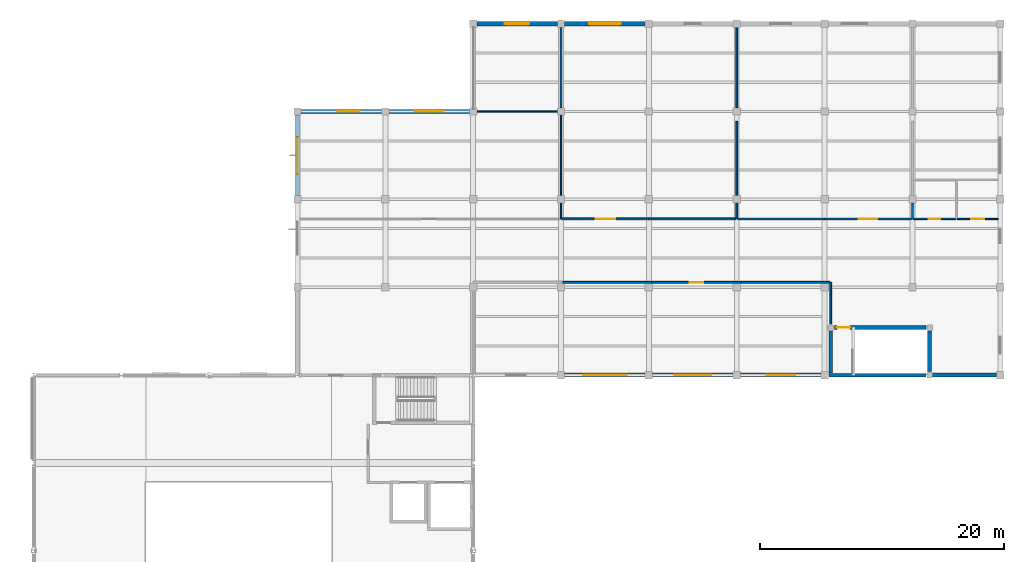
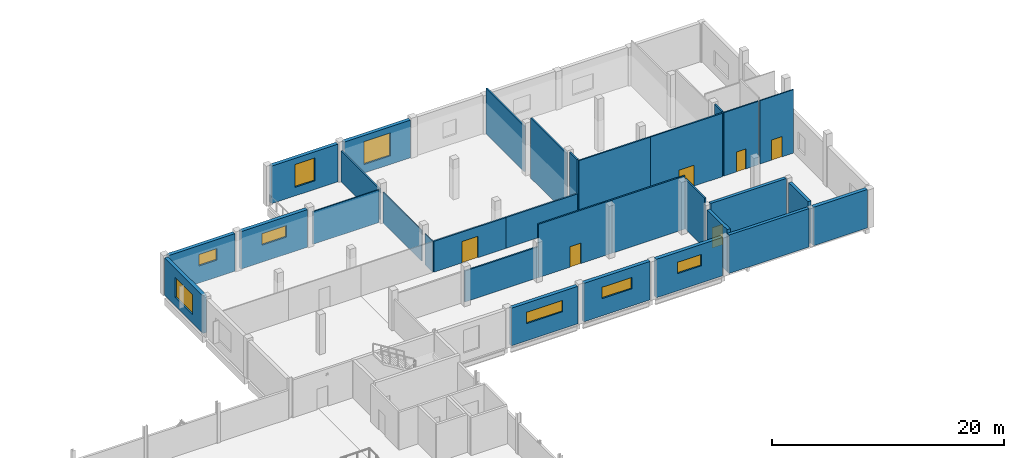
# One storey, part 42 of 48: 31 walls, 8 windows, 6 doors, 14 openings.
"""IFC4 building model written with IfcOpenShell, lengths in metres."""

import ifcopenshell
import ifcopenshell.guid

model = None  # the IFC model being written
_history = None  # IfcOwnerHistory: only IFC2X3 demands one
_inside = {}  # id of a spatial element -> (the spatial element, [elements in it])
_under = {}  # id of a project, library or spatial element -> (it, [spatial elements below it])
_declared = {}  # id of a project -> (the project, [libraries it declares])
_typed = {}  # id of a type object -> (the type object, [elements of that type])
_made_of = {}  # id of a material, layer set ... -> (it, [elements and type objects made of it])


def new_model(schema):
    """Start an empty IFC model of exactly this schema.

    Asked for "IFC4X3", IfcOpenShell would pick the latest addendum, in which some entities
    have other attributes; the version numbers below select the first issue.
    IFC2X3 requires an IfcOwnerHistory on every rooted entity: one is made here for all.
    """
    global model, _history
    if schema == "IFC4X3":
        model = ifcopenshell.file(schema_version=(4, 3, 0, 0))
    else:
        model = ifcopenshell.file(schema=schema)
    _inside.clear()
    _under.clear()
    _declared.clear()
    _typed.clear()
    _made_of.clear()
    _history = None
    if model.schema == "IFC2X3":
        org = make("IfcOrganization", Name="unknown")
        user = make(
            "IfcPersonAndOrganization",
            ThePerson=make("IfcPerson", FamilyName="unknown"),
            TheOrganization=org,
        )
        app = make(
            "IfcApplication",
            ApplicationDeveloper=org,
            Version="unknown",
            ApplicationFullName="unknown",
            ApplicationIdentifier="unknown",
        )
        _history = make(
            "IfcOwnerHistory",
            OwningUser=user,
            OwningApplication=app,
            ChangeAction="ADDED",
            CreationDate=0,
        )
    return model


def make(cls, **values):
    """One entity of the class cls with the attributes given. An attribute that is None is left unset."""
    return model.create_entity(
        cls, **{name: value for name, value in values.items() if value is not None}
    )


def rooted(cls, **values):
    """An entity with a GlobalId (a new one), such as an element, a storey or a relation."""
    return make(cls, GlobalId=ifcopenshell.guid.new(), OwnerHistory=_history, **values)


def si_unit(unit_type, name, prefix=None):
    """IfcSIUnit, for example si_unit("LENGTHUNIT", "METRE", prefix="MILLI")."""
    return make("IfcSIUnit", UnitType=unit_type, Prefix=prefix, Name=name)


def assignment(units):
    """IfcUnitAssignment: the units of a project."""
    return None if units is None else make("IfcUnitAssignment", Units=units)


def point(xyz):
    """IfcCartesianPoint."""
    return None if xyz is None else make("IfcCartesianPoint", Coordinates=xyz)


def direction(xyz):
    """IfcDirection."""
    return None if xyz is None else make("IfcDirection", DirectionRatios=xyz)


def frame(location, z_axis=None, x_axis=None):
    """IfcAxis2Placement3D, a coordinate frame: its origin and axes. An axis left out is left unset."""
    return make(
        "IfcAxis2Placement3D",
        Location=point(location),
        Axis=direction(z_axis),
        RefDirection=direction(x_axis),
    )


def frame_2d(location, x_axis=None):
    """IfcAxis2Placement2D, a coordinate frame in the plane: its origin and x axis."""
    return make(
        "IfcAxis2Placement2D", Location=point(location), RefDirection=direction(x_axis)
    )


def origin():
    """The frame at (0, 0, 0) with its axes left unset."""
    return frame((0.0, 0.0, 0.0))


def place(relative_to, where):
    """IfcLocalPlacement: puts the frame where relative to a parent placement (None: the world)."""
    return make(
        "IfcLocalPlacement", PlacementRelTo=relative_to, RelativePlacement=where
    )


def context(
    kind, dimensions, precision=None, world=None, true_north=None, identifier=None
):
    """IfcGeometricRepresentationContext, for example the 3D "Model" context."""
    return make(
        "IfcGeometricRepresentationContext",
        ContextIdentifier=identifier,
        ContextType=kind,
        CoordinateSpaceDimension=dimensions,
        Precision=precision,
        WorldCoordinateSystem=world,
        TrueNorth=true_north,
    )


def subcontext(parent, identifier, kind, view, scale=None):
    """IfcGeometricRepresentationSubContext, for example "Body" below "Model"."""
    return make(
        "IfcGeometricRepresentationSubContext",
        ContextIdentifier=identifier,
        ContextType=kind,
        ParentContext=parent,
        TargetScale=scale,
        TargetView=view,
    )


def project(units=None, contexts=None):
    """IfcProject with its units and contexts."""
    return rooted(
        "IfcProject",
        Name="project",
        RepresentationContexts=contexts,
        UnitsInContext=assignment(units),
    )


def spatial(cls, under=None, at=None, **own):
    """A site, building, storey or space (cls), placed at a placement, below another one or the project."""
    s = rooted(cls, ObjectPlacement=at, **own)
    if under is not None:
        _under.setdefault(under.id(), (under, []))[1].append(s)
    return s


def profile(cls, at=None, kind="AREA", **sizes):
    """A parametric profile (cls). Its sizes go by their IFC names, for example OverallWidth=200.0."""
    return make(cls, ProfileType=kind, Position=at, **sizes)


def rectangle(**sizes):
    """IfcRectangleProfileDef."""
    return profile("IfcRectangleProfileDef", **sizes)


def extrude(swept, where, along, depth):
    """IfcExtrudedAreaSolid: the profile swept, set in the frame where, extruded along a direction by depth."""
    return make(
        "IfcExtrudedAreaSolid",
        SweptArea=swept,
        Position=where,
        ExtrudedDirection=direction(along),
        Depth=depth,
    )


def shape(context_of_items, identifier, shape_type, items):
    """IfcShapeRepresentation: the items that make up one representation, for example the "Body"."""
    return make(
        "IfcShapeRepresentation",
        ContextOfItems=context_of_items,
        RepresentationIdentifier=identifier,
        RepresentationType=shape_type,
        Items=items,
    )


def material(Name=None, Category=None):
    """IfcMaterial."""
    return make("IfcMaterial", Name=Name, Category=Category)


def layer(
    of_material, thickness, ventilated=None, Name=None, Category=None, Priority=None
):
    """IfcMaterialLayer: one layer of a wall or slab, of a material (None: an air gap)."""
    return make(
        "IfcMaterialLayer",
        Material=of_material,
        LayerThickness=thickness,
        IsVentilated=ventilated,
        Name=Name,
        Category=Category,
        Priority=Priority,
    )


def layer_set(layers, Name=None):
    """IfcMaterialLayerSet."""
    return make("IfcMaterialLayerSet", MaterialLayers=layers, LayerSetName=Name)


def made_of(thing, what):
    """Note that an element or type object is made of a material, layer set ...; save() writes the relation."""
    if what is not None:
        _made_of.setdefault(what.id(), (what, []))[1].append(thing)
    return thing


def type_object(cls, material=None, **own):
    """A type object (cls), such as IfcWallType, which elements share."""
    return made_of(rooted(cls, **own), material)


def element(
    cls,
    number,
    at=None,
    inside=None,
    cuts=None,
    type_object=None,
    material=None,
    context=None,
    identifier="Body",
    shape_type=None,
    held_by="IfcProductDefinitionShape",
    body=None,
    shapes=None,
    **own,
):
    """One element of the class cls, such as IfcWall. Its Tag is "e" and its number.

    at: its placement. inside: the storey or other place that contains it. cuts: it is an
    opening in that element (IfcRelVoidsElement). A single representation is given by context,
    identifier, shape_type and body (its items); several are given by shapes. held_by: the class
    of the entity that holds the representations. save() writes the other relations.
    """
    e = rooted(cls, Tag="e%d" % number, ObjectPlacement=at, **own)
    if body is not None:
        shapes = [shape(context, identifier, shape_type, body)]
    if shapes is not None:
        e.Representation = make(held_by, Representations=shapes)
    if inside is not None:
        _inside.setdefault(inside.id(), (inside, []))[1].append(e)
    if cuts is not None:
        rooted(
            "IfcRelVoidsElement", RelatingBuildingElement=cuts, RelatedOpeningElement=e
        )
    if type_object is not None:
        _typed.setdefault(type_object.id(), (type_object, []))[1].append(e)
    return made_of(e, material)


def fill(opening, filler):
    """IfcRelFillsElement: the door or window that sits in an opening."""
    return rooted(
        "IfcRelFillsElement",
        RelatingOpeningElement=opening,
        RelatedBuildingElement=filler,
    )


def aggregate(whole, parts):
    """IfcRelAggregates: a whole, such as a stair, and the parts it consists of."""
    return rooted("IfcRelAggregates", RelatingObject=whole, RelatedObjects=parts)


def save(model, path):
    """Write the relations noted so far, then the file.

    IfcRelAggregates (storeys below a building ...), IfcRelContainedInSpatialStructure (elements
    in a storey), IfcRelDefinesByType, IfcRelAssociatesMaterial and IfcRelDeclares: one each for
    every whole, place, type object, material and project.
    """
    for whole, parts in _under.values():
        aggregate(whole, parts)
    for where, things in _inside.values():
        rooted(
            "IfcRelContainedInSpatialStructure",
            RelatedElements=things,
            RelatingStructure=where,
        )
    for kind, things in _typed.values():
        rooted("IfcRelDefinesByType", RelatedObjects=things, RelatingType=kind)
    for what, things in _made_of.values():
        rooted("IfcRelAssociatesMaterial", RelatedObjects=things, RelatingMaterial=what)
    for by, libraries in _declared.values():
        rooted("IfcRelDeclares", RelatingContext=by, RelatedDefinitions=libraries)
    model.write(path)


model = new_model("IFC4")

# Units and contexts
model_context = context("Model", 3, precision=1e-05, world=origin(), true_north=direction((0.0, 1.0)))
body_context = subcontext(model_context, "Body", "Model", "MODEL_VIEW")
ifc_project = project(units=[si_unit("LENGTHUNIT", "METRE"), si_unit("AREAUNIT", "SQUARE_METRE"), si_unit("VOLUMEUNIT", "CUBIC_METRE"), si_unit("PLANEANGLEUNIT", "RADIAN"), si_unit("MASSUNIT", "GRAM", prefix="KILO"), si_unit("THERMODYNAMICTEMPERATUREUNIT", "KELVIN"), si_unit("POWERUNIT", "WATT")], contexts=[model_context])

# Site, building, storey
site_placement = place(None, origin())
site = spatial("IfcSite", under=ifc_project, at=site_placement, CompositionType="ELEMENT")
building_placement = place(site_placement, origin())
building = spatial("IfcBuilding", under=site, at=building_placement, Name="Kaldorven Railside Theatre", CompositionType="ELEMENT")
storey_placement = place(building_placement, frame((0.0, 0.0, 18.89990234375)))
storey = spatial("IfcBuildingStorey", under=building, at=storey_placement, Name="L04", CompositionType="ELEMENT", Elevation=18.89990234375)

# Wall, opening, window
ifc_material_1 = material(Name="Precast concrete C40/50", Category="concrete")
ifc_layer_1 = layer(ifc_material_1, 0.35009765625, Name="Precast concrete C40/50")
ifc_layer_set_1 = layer_set([ifc_layer_1], Name="Precast concrete C40/50")
wall_type_1 = type_object("IfcWallType", Name="WL-EW03", PredefinedType="SOLIDWALL", material=ifc_layer_set_1)
wall_1_placement = place(storey_placement, frame((108.800048828125, 127.5, 0.0), z_axis=(0.0, 0.0, 1.0), x_axis=(0.0, 1.0, 0.0)))
wall_1 = element("IfcWall", 1, at=wall_1_placement, inside=storey, type_object=wall_type_1, Name="V6L L04 Exterior Wall EW-0363", PredefinedType="SOLIDWALL", context=body_context, shape_type="SweptSolid", body=[
    extrude(rectangle(XDim=6.60009765625, YDim=0.35009765625, at=frame_2d((3.300048828125, 0.0))), origin(), (0.0, 0.0, 1.0), 3.9501953125),
])
opening_1_placement = place(wall_1_placement, frame((1.800048828125, 0.0, 0.89990234375)))
opening_1 = element("IfcOpeningElement", 2, at=opening_1_placement, cuts=wall_1, Name="Opening WN-063", PredefinedType="OPENING", context=body_context, shape_type="SweptSolid", body=[
    extrude(rectangle(XDim=3.0, YDim=2.10009765625, at=frame_2d((1.5, 1.050048828125))), frame((0.0, 0.18505859375, 0.0), z_axis=(0.0, -1.0, 0.0), x_axis=(1.0, 0.0, 0.0)), (0.0, 0.0, 1.0), 0.3701171875),
])
ifc_material_2 = material(Name="Low-E laminated solar-control glass", Category="glass")
window_type_1 = type_object("IfcWindowType", Name="WN-EW13", PartitioningType="SINGLE_PANEL", PredefinedType="WINDOW", material=ifc_material_2)
window_1_placement = place(opening_1_placement, origin())
window_1 = element("IfcWindow", 3, at=window_1_placement, inside=storey, type_object=window_type_1, Name="Shaded Acoustic Exterior Window WN-063", OverallHeight=2.10009765625, OverallWidth=3.0, PartitioningType="SINGLE_PANEL", PredefinedType="WINDOW", context=body_context, shape_type="SweptSolid", body=[
    extrude(rectangle(XDim=3.0, YDim=2.10009765625, at=frame_2d((1.5, 1.050048828125))), frame((0.0, 0.030029296875, 0.0), z_axis=(0.0, -1.0, 0.0), x_axis=(1.0, 0.0, 0.0)), (0.0, 0.0, 1.0), 0.06005859375),
])
fill(opening_1, window_1)

wall_2_placement = place(storey_placement, frame((109.10009765625, 134.39990234375, 0.0), z_axis=(0.0, 0.0, 1.0), x_axis=(1.0, 0.0, 0.0)))
wall_2 = element("IfcWall", 4, at=wall_2_placement, inside=storey, type_object=wall_type_1, Name="V6L L04 Exterior Wall EW-0364", PredefinedType="SOLIDWALL", context=body_context, shape_type="SweptSolid", body=[
    extrude(rectangle(XDim=6.599853515625, YDim=0.35009765625, at=frame_2d((3.2998046875, 0.0))), origin(), (0.0, 0.0, 1.0), 3.9501953125),
])
opening_2_placement = place(wall_2_placement, frame((3.0, 0.0, 1.800048828125)))
opening_2 = element("IfcOpeningElement", 5, at=opening_2_placement, cuts=wall_2, Name="Opening WN-064", PredefinedType="OPENING", context=body_context, shape_type="SweptSolid", body=[
    extrude(rectangle(XDim=1.800048828125, YDim=1.199951171875, at=frame_2d((0.89990234375, 0.60009765625))), frame((0.0, 0.18505859375, 0.0), z_axis=(0.0, -1.0, 0.0), x_axis=(1.0, 0.0, 0.0)), (0.0, 0.0, 1.0), 0.3701171875),
])
window_type_2 = type_object("IfcWindowType", Name="WN-EW14", PartitioningType="SINGLE_PANEL", PredefinedType="WINDOW", material=ifc_material_2)
window_2_placement = place(opening_2_placement, origin())
window_2 = element("IfcWindow", 6, at=window_2_placement, inside=storey, type_object=window_type_2, Name="Shaded Acoustic Exterior Window WN-064", OverallHeight=1.199951171875, OverallWidth=1.800048828125, PartitioningType="SINGLE_PANEL", PredefinedType="WINDOW", context=body_context, shape_type="SweptSolid", body=[
    extrude(rectangle(XDim=1.800048828125, YDim=1.199951171875, at=frame_2d((0.89990234375, 0.60009765625))), frame((0.0, 0.030029296875, 0.0), z_axis=(0.0, -1.0, 0.0), x_axis=(1.0, 0.0, 0.0)), (0.0, 0.0, 1.0), 0.06005859375),
])
fill(opening_2, window_2)

wall_3_placement = place(storey_placement, frame((116.300048828125, 134.39990234375, 0.0), z_axis=(0.0, 0.0, 1.0), x_axis=(1.0, 0.0, 0.0)))
wall_3 = element("IfcWall", 7, at=wall_3_placement, inside=storey, type_object=wall_type_1, Name="V6L L04 Exterior Wall EW-0365", PredefinedType="SOLIDWALL", context=body_context, shape_type="SweptSolid", body=[
    extrude(rectangle(XDim=6.599853515625, YDim=0.35009765625, at=frame_2d((3.2998046875, 0.0))), origin(), (0.0, 0.0, 1.0), 3.9501953125),
])
opening_3_placement = place(wall_3_placement, frame((2.10009765625, 0.0, 1.800048828125)))
opening_3 = element("IfcOpeningElement", 8, at=opening_3_placement, cuts=wall_3, Name="Opening WN-065", PredefinedType="OPENING", context=body_context, shape_type="SweptSolid", body=[
    extrude(rectangle(XDim=2.39990234375, YDim=1.199951171875, at=frame_2d((1.199951171875, 0.60009765625))), frame((0.0, 0.18505859375, 0.0), z_axis=(0.0, -1.0, 0.0), x_axis=(1.0, 0.0, 0.0)), (0.0, 0.0, 1.0), 0.3701171875),
])
window_type_3 = type_object("IfcWindowType", Name="WN-EW15", PartitioningType="SINGLE_PANEL", PredefinedType="WINDOW", material=ifc_material_2)
window_3_placement = place(opening_3_placement, origin())
window_3 = element("IfcWindow", 9, at=window_3_placement, inside=storey, type_object=window_type_3, Name="Shaded Acoustic Exterior Window WN-065", OverallHeight=1.199951171875, OverallWidth=2.39990234375, PartitioningType="SINGLE_PANEL", PredefinedType="WINDOW", context=body_context, shape_type="SweptSolid", body=[
    extrude(rectangle(XDim=2.39990234375, YDim=1.199951171875, at=frame_2d((1.199951171875, 0.60009765625))), frame((0.0, 0.030029296875, 0.0), z_axis=(0.0, -1.0, 0.0), x_axis=(1.0, 0.0, 0.0)), (0.0, 0.0, 1.0), 0.06005859375),
])
fill(opening_3, window_3)

# Wall
wall_4_placement = place(storey_placement, frame((166.10009765625, 112.800048828125, 0.0), z_axis=(0.0, 0.0, 1.0), x_axis=(-1.0, 0.0, 0.0)))
element("IfcWall", 10, at=wall_4_placement, inside=storey, type_object=wall_type_1, Name="V6 L04 Exterior Wall EW-0447", PredefinedType="SOLIDWALL", context=body_context, shape_type="SweptSolid", body=[
    extrude(rectangle(XDim=5.35009765625, YDim=0.35009765625, at=frame_2d((2.675048828125, 0.0))), origin(), (0.0, 0.0, 1.0), 4.04638671875),
])

# Wall, opening, window
wall_5_placement = place(storey_placement, frame((151.699951171875, 112.800048828125, 0.0), z_axis=(0.0, 0.0, 1.0), x_axis=(-1.0, 0.0, 0.0)))
wall_5 = element("IfcWall", 11, at=wall_5_placement, inside=storey, type_object=wall_type_1, Name="V6 L04 Exterior Wall EW-0448", PredefinedType="SOLIDWALL", context=body_context, shape_type="SweptSolid", body=[
    extrude(rectangle(XDim=6.599853515625, YDim=0.35009765625, at=frame_2d((3.2998046875, 0.0))), origin(), (0.0, 0.0, 1.0), 4.04638671875),
])
opening_4_placement = place(wall_5_placement, frame((2.10009765625, 0.0, 1.800048828125)))
opening_4 = element("IfcOpeningElement", 12, at=opening_4_placement, cuts=wall_5, Name="Opening WN-115", PredefinedType="OPENING", context=body_context, shape_type="SweptSolid", body=[
    extrude(rectangle(XDim=2.39990234375, YDim=1.199951171875, at=frame_2d((1.199951171875, 0.60009765625))), frame((0.0, 0.18505859375, 0.0), z_axis=(0.0, -1.0, 0.0), x_axis=(1.0, 0.0, 0.0)), (0.0, 0.0, 1.0), 0.3701171875),
])
window_4_placement = place(opening_4_placement, origin())
window_4 = element("IfcWindow", 13, at=window_4_placement, inside=storey, type_object=window_type_3, Name="Shaded Acoustic Exterior Window WN-115", OverallHeight=1.199951171875, OverallWidth=2.39990234375, PartitioningType="SINGLE_PANEL", PredefinedType="WINDOW", context=body_context, shape_type="SweptSolid", body=[
    extrude(rectangle(XDim=2.39990234375, YDim=1.199951171875, at=frame_2d((1.199951171875, 0.60009765625))), frame((0.0, 0.030029296875, 0.0), z_axis=(0.0, -1.0, 0.0), x_axis=(1.0, 0.0, 0.0)), (0.0, 0.0, 1.0), 0.06005859375),
])
fill(opening_4, window_4)

wall_6_placement = place(storey_placement, frame((144.5, 112.800048828125, 0.0), z_axis=(0.0, 0.0, 1.0), x_axis=(-1.0, 0.0, 0.0)))
wall_6 = element("IfcWall", 14, at=wall_6_placement, inside=storey, type_object=wall_type_1, Name="V6 L04 Exterior Wall EW-0449", PredefinedType="SOLIDWALL", context=body_context, shape_type="SweptSolid", body=[
    extrude(rectangle(XDim=6.60009765625, YDim=0.35009765625, at=frame_2d((3.300048828125, 0.0))), origin(), (0.0, 0.0, 1.0), 4.04638671875),
])
opening_5_placement = place(wall_6_placement, frame((1.800048828125, 0.0, 1.800048828125)))
opening_5 = element("IfcOpeningElement", 15, at=opening_5_placement, cuts=wall_6, Name="Opening WN-116", PredefinedType="OPENING", context=body_context, shape_type="SweptSolid", body=[
    extrude(rectangle(XDim=3.0, YDim=1.199951171875, at=frame_2d((1.5, 0.60009765625))), frame((0.0, 0.18505859375, 0.0), z_axis=(0.0, -1.0, 0.0), x_axis=(1.0, 0.0, 0.0)), (0.0, 0.0, 1.0), 0.3701171875),
])
window_type_4 = type_object("IfcWindowType", Name="WN-EW16", PartitioningType="SINGLE_PANEL", PredefinedType="WINDOW", material=ifc_material_2)
window_5_placement = place(opening_5_placement, origin())
window_5 = element("IfcWindow", 16, at=window_5_placement, inside=storey, type_object=window_type_4, Name="Shaded Acoustic Exterior Window WN-116", OverallHeight=1.199951171875, OverallWidth=3.0, PartitioningType="SINGLE_PANEL", PredefinedType="WINDOW", context=body_context, shape_type="SweptSolid", body=[
    extrude(rectangle(XDim=3.0, YDim=1.199951171875, at=frame_2d((1.5, 0.60009765625))), frame((0.0, 0.030029296875, 0.0), z_axis=(0.0, -1.0, 0.0), x_axis=(1.0, 0.0, 0.0)), (0.0, 0.0, 1.0), 0.06005859375),
])
fill(opening_5, window_5)

wall_7_placement = place(storey_placement, frame((137.300048828125, 112.800048828125, 0.0), z_axis=(0.0, 0.0, 1.0), x_axis=(-1.0, 0.0, 0.0)))
wall_7 = element("IfcWall", 17, at=wall_7_placement, inside=storey, type_object=wall_type_1, Name="V6 L04 Exterior Wall EW-0450", PredefinedType="SOLIDWALL", context=body_context, shape_type="SweptSolid", body=[
    extrude(rectangle(XDim=6.60009765625, YDim=0.35009765625, at=frame_2d((3.300048828125, 0.0))), origin(), (0.0, 0.0, 1.0), 3.9501953125),
])
opening_6_placement = place(wall_7_placement, frame((1.5, 0.0, 1.800048828125)))
opening_6 = element("IfcOpeningElement", 18, at=opening_6_placement, cuts=wall_7, Name="Opening WN-117", PredefinedType="OPENING", context=body_context, shape_type="SweptSolid", body=[
    extrude(rectangle(XDim=3.60009765625, YDim=1.199951171875, at=frame_2d((1.800048828125, 0.60009765625))), frame((0.0, 0.18505859375, 0.0), z_axis=(0.0, -1.0, 0.0), x_axis=(1.0, 0.0, 0.0)), (0.0, 0.0, 1.0), 0.3701171875),
])
window_type_5 = type_object("IfcWindowType", Name="WN-EW17", PartitioningType="SINGLE_PANEL", PredefinedType="WINDOW", material=ifc_material_2)
window_6_placement = place(opening_6_placement, origin())
window_6 = element("IfcWindow", 19, at=window_6_placement, inside=storey, type_object=window_type_5, Name="Shaded Acoustic Exterior Window WN-117", OverallHeight=1.199951171875, OverallWidth=3.60009765625, PartitioningType="SINGLE_PANEL", PredefinedType="WINDOW", context=body_context, shape_type="SweptSolid", body=[
    extrude(rectangle(XDim=3.60009765625, YDim=1.199951171875, at=frame_2d((1.800048828125, 0.60009765625))), frame((0.0, 0.030029296875, 0.0), z_axis=(0.0, -1.0, 0.0), x_axis=(1.0, 0.0, 0.0)), (0.0, 0.0, 1.0), 0.06005859375),
])
fill(opening_6, window_6)

wall_8_placement = place(storey_placement, frame((123.5, 141.60009765625, 0.0), z_axis=(0.0, 0.0, 1.0), x_axis=(1.0, 0.0, 0.0)))
wall_8 = element("IfcWall", 20, at=wall_8_placement, inside=storey, type_object=wall_type_1, Name="V6 L04 Exterior Wall EW-0452", PredefinedType="SOLIDWALL", context=body_context, shape_type="SweptSolid", body=[
    extrude(rectangle(XDim=6.60009765625, YDim=0.35009765625, at=frame_2d((3.300048828125, 0.0))), origin(), (0.0, 0.0, 1.0), 3.9501953125),
])
opening_7_placement = place(wall_8_placement, frame((2.300048828125, 0.0, 0.89990234375)))
opening_7 = element("IfcOpeningElement", 21, at=opening_7_placement, cuts=wall_8, Name="Opening WN-119", PredefinedType="OPENING", context=body_context, shape_type="SweptSolid", body=[
    extrude(rectangle(XDim=2.0, YDim=2.39990234375, at=frame_2d((1.0, 1.199951171875))), frame((0.0, 0.18505859375, 0.0), z_axis=(0.0, -1.0, 0.0), x_axis=(1.0, 0.0, 0.0)), (0.0, 0.0, 1.0), 0.3701171875),
])
window_type_6 = type_object("IfcWindowType", Name="WN-EW19", PartitioningType="SINGLE_PANEL", PredefinedType="WINDOW", material=ifc_material_2)
window_7_placement = place(opening_7_placement, origin())
window_7 = element("IfcWindow", 22, at=window_7_placement, inside=storey, type_object=window_type_6, Name="Shaded Acoustic Exterior Window WN-119", OverallHeight=2.39990234375, OverallWidth=2.0, PartitioningType="SINGLE_PANEL", PredefinedType="WINDOW", context=body_context, shape_type="SweptSolid", body=[
    extrude(rectangle(XDim=2.0, YDim=2.39990234375, at=frame_2d((1.0, 1.199951171875))), frame((0.0, 0.030029296875, 0.0), z_axis=(0.0, -1.0, 0.0), x_axis=(1.0, 0.0, 0.0)), (0.0, 0.0, 1.0), 0.06005859375),
])
fill(opening_7, window_7)

wall_9_placement = place(storey_placement, frame((130.699951171875, 141.60009765625, 0.0), z_axis=(0.0, 0.0, 1.0), x_axis=(1.0, 0.0, 0.0)))
wall_9 = element("IfcWall", 23, at=wall_9_placement, inside=storey, type_object=wall_type_1, Name="V6 L04 Exterior Wall EW-0453", PredefinedType="SOLIDWALL", context=body_context, shape_type="SweptSolid", body=[
    extrude(rectangle(XDim=6.60009765625, YDim=0.35009765625, at=frame_2d((3.300048828125, 0.0))), origin(), (0.0, 0.0, 1.0), 3.9501953125),
])
opening_8_placement = place(wall_9_placement, frame((2.0, 0.0, 0.89990234375)))
opening_8 = element("IfcOpeningElement", 24, at=opening_8_placement, cuts=wall_9, Name="Opening WN-120", PredefinedType="OPENING", context=body_context, shape_type="SweptSolid", body=[
    extrude(rectangle(XDim=2.60009765625, YDim=2.39990234375, at=frame_2d((1.300048828125, 1.199951171875))), frame((0.0, 0.18505859375, 0.0), z_axis=(0.0, -1.0, 0.0), x_axis=(1.0, 0.0, 0.0)), (0.0, 0.0, 1.0), 0.3701171875),
])
window_type_7 = type_object("IfcWindowType", Name="WN-EW20", PartitioningType="SINGLE_PANEL", PredefinedType="WINDOW", material=ifc_material_2)
window_8_placement = place(opening_8_placement, origin())
window_8 = element("IfcWindow", 25, at=window_8_placement, inside=storey, type_object=window_type_7, Name="Shaded Acoustic Exterior Window WN-120", OverallHeight=2.39990234375, OverallWidth=2.60009765625, PartitioningType="SINGLE_PANEL", PredefinedType="WINDOW", context=body_context, shape_type="SweptSolid", body=[
    extrude(rectangle(XDim=2.60009765625, YDim=2.39990234375, at=frame_2d((1.300048828125, 1.199951171875))), frame((0.0, 0.030029296875, 0.0), z_axis=(0.0, -1.0, 0.0), x_axis=(1.0, 0.0, 0.0)), (0.0, 0.0, 1.0), 0.06005859375),
])
fill(opening_8, window_8)

# Walls
ifc_material_3 = material(Name="Acoustic gypsum board")
ifc_layer_2 = layer(ifc_material_3, 0.14990234375, Name="Acoustic gypsum board")
ifc_layer_set_2 = layer_set([ifc_layer_2], Name="Acoustic gypsum board")
wall_type_2 = type_object("IfcWallType", Name="WL-IW-AC1", PredefinedType="PARTITIONING", material=ifc_layer_set_2)
wall_10_placement = place(storey_placement, frame((144.800048828125, 127.5, 0.0), z_axis=(0.0, 0.0, 1.0), x_axis=(0.0, 1.0, 0.0)))
element("IfcWall", 26, at=wall_10_placement, inside=storey, type_object=wall_type_2, Name="L04 Interior Wall IW-0670", PredefinedType="PARTITIONING", context=body_context, shape_type="SweptSolid", body=[
    extrude(rectangle(XDim=6.10009765625, YDim=0.14990234375, at=frame_2d((3.050048828125, 0.0))), origin(), (0.0, 0.0, 1.0), 6.310302734375),
])
wall_11_placement = place(storey_placement, frame((144.800048828125, 125.60009765625, 0.0), z_axis=(0.0, 0.0, 1.0), x_axis=(0.0, 1.0, 0.0)))
element("IfcWall", 27, at=wall_11_placement, inside=storey, type_object=wall_type_2, Name="L04 Interior Wall IW-0671", PredefinedType="PARTITIONING", context=body_context, shape_type="SweptSolid", body=[
    extrude(rectangle(XDim=1.2998046875, YDim=0.14990234375, at=frame_2d((0.64990234375, 0.0))), origin(), (0.0, 0.0, 1.0), 6.802001953125),
])
wall_12_placement = place(storey_placement, frame((144.800048828125, 134.699951171875, 0.0), z_axis=(0.0, 0.0, 1.0), x_axis=(0.0, 1.0, 0.0)))
element("IfcWall", 28, at=wall_12_placement, inside=storey, type_object=wall_type_2, Name="L04 Interior Wall IW-0672", PredefinedType="PARTITIONING", context=body_context, shape_type="SweptSolid", body=[
    extrude(rectangle(XDim=6.60009765625, YDim=0.14990234375, at=frame_2d((3.300048828125, 0.0))), origin(), (0.0, 0.0, 1.0), 4.783935546875),
])
wall_13_placement = place(storey_placement, frame((130.39990234375, 141.300048828125, 0.0), z_axis=(0.0, 0.0, 1.0), x_axis=(0.0, -1.0, 0.0)))
element("IfcWall", 29, at=wall_13_placement, inside=storey, type_object=wall_type_2, Name="L04 Interior Wall IW-0673", PredefinedType="PARTITIONING", context=body_context, shape_type="SweptSolid", body=[
    extrude(rectangle(XDim=6.60009765625, YDim=0.14990234375, at=frame_2d((3.300048828125, 0.0))), origin(), (0.0, 0.0, 1.0), 3.2451171875),
])

# Wall, opening, door
wall_14_placement = place(storey_placement, frame((130.451904296875, 125.60009765625, 0.0), z_axis=(0.0, 0.0, 1.0), x_axis=(1.0, 0.0, 0.0)))
wall_14 = element("IfcWall", 30, at=wall_14_placement, inside=storey, type_object=wall_type_2, Name="L04 Interior Wall IW-0674", PredefinedType="PARTITIONING", context=body_context, shape_type="SweptSolid", body=[
    extrude(rectangle(XDim=7.148193359375, YDim=0.14990234375, at=frame_2d((3.57421875, 0.0))), origin(), (0.0, 0.0, 1.0), 3.2451171875),
])
opening_9_placement = place(wall_14_placement, frame((2.77392578125, 0.0, 0.0)))
opening_9 = element("IfcOpeningElement", 31, at=opening_9_placement, cuts=wall_14, Name="Opening ID-0153", PredefinedType="OPENING", context=body_context, shape_type="SweptSolid", body=[
    extrude(rectangle(XDim=1.60009765625, YDim=2.25, at=frame_2d((0.800048828125, 1.125))), frame((0.0, 0.0849609375, 0.0), z_axis=(0.0, -1.0, 0.0), x_axis=(1.0, 0.0, 0.0)), (0.0, 0.0, 1.0), 0.169921875),
])
ifc_material_4 = material(Name="Acoustic hardwood timber", Category="wood")
door_type_1 = type_object("IfcDoorType", Name="DR-ID-REH1", OperationType="NOTDEFINED", PredefinedType="DOOR", material=ifc_material_4)
door_1_placement = place(opening_9_placement, origin())
door_1 = element("IfcDoor", 32, at=door_1_placement, inside=storey, type_object=door_type_1, Name="Production Design Studio Entry Door", OperationType="DOUBLE_DOOR_SINGLE_SWING", OverallHeight=2.25, OverallWidth=1.60009765625, PredefinedType="DOOR", context=body_context, shape_type="SweptSolid", body=[
    extrude(rectangle(XDim=1.60009765625, YDim=2.25, at=frame_2d((0.800048828125, 1.125))), frame((0.0, 0.02490234375, 0.0), z_axis=(0.0, -1.0, 0.0), x_axis=(1.0, 0.0, 0.0)), (0.0, 0.0, 1.0), 0.050048828125),
])
fill(opening_9, door_1)

# Walls
wall_15_placement = place(storey_placement, frame((137.60009765625, 125.60009765625, 0.0), z_axis=(0.0, 0.0, 1.0), x_axis=(1.0, 0.0, 0.0)))
element("IfcWall", 33, at=wall_15_placement, inside=storey, type_object=wall_type_2, Name="L04 Interior Wall IW-0675", PredefinedType="PARTITIONING", context=body_context, shape_type="SweptSolid", body=[
    extrude(rectangle(XDim=7.122802734375, YDim=0.14990234375, at=frame_2d((3.5615234375, 0.0))), origin(), (0.0, 0.0, 1.0), 3.2451171875),
])
wall_16_placement = place(storey_placement, frame((152.5, 117.0, 0.0), z_axis=(0.0, 0.0, 1.0), x_axis=(0.0, 1.0, 0.0)))
element("IfcWall", 34, at=wall_16_placement, inside=storey, type_object=wall_type_2, Name="L04 Interior Wall IW-0686", PredefinedType="PARTITIONING", context=body_context, shape_type="SweptSolid", body=[
    extrude(rectangle(XDim=3.39990234375, YDim=0.14990234375, at=frame_2d((1.699951171875, 0.0))), origin(), (0.0, 0.0, 1.0), 5.255126953125),
])
wall_17_placement = place(storey_placement, frame((152.423095703125, 120.39990234375, 0.0), z_axis=(0.0, 0.0, 1.0), x_axis=(-1.0, 0.0, 0.0)))
element("IfcWall", 35, at=wall_17_placement, inside=storey, type_object=wall_type_2, Name="L04 Interior Wall IW-0687", PredefinedType="PARTITIONING", context=body_context, shape_type="SweptSolid", body=[
    extrude(rectangle(XDim=7.248046875, YDim=0.14990234375, at=frame_2d((3.6240234375, 0.0))), origin(), (0.0, 0.0, 1.0), 5.603515625),
])

# Wall, opening, door
wall_18_placement = place(storey_placement, frame((145.175048828125, 120.39990234375, 0.0), z_axis=(0.0, 0.0, 1.0), x_axis=(-1.0, 0.0, 0.0)))
wall_18 = element("IfcWall", 36, at=wall_18_placement, inside=storey, type_object=wall_type_2, Name="L04 Interior Wall IW-0688", PredefinedType="PARTITIONING", context=body_context, shape_type="SweptSolid", body=[
    extrude(rectangle(XDim=7.324951171875, YDim=0.14990234375, at=frame_2d((3.66259765625, 0.0))), origin(), (0.0, 0.0, 1.0), 5.603515625),
])
opening_10_placement = place(wall_18_placement, frame((3.112548828125, 0.0, 0.0)))
opening_10 = element("IfcOpeningElement", 37, at=opening_10_placement, cuts=wall_18, Name="Opening ID-0157", PredefinedType="OPENING", context=body_context, shape_type="SweptSolid", body=[
    extrude(rectangle(XDim=1.10009765625, YDim=2.14990234375, at=frame_2d((0.550048828125, 1.074951171875))), frame((0.0, 0.0849609375, 0.0), z_axis=(0.0, -1.0, 0.0), x_axis=(1.0, 0.0, 0.0)), (0.0, 0.0, 1.0), 0.169921875),
])
door_type_2 = type_object("IfcDoorType", Name="DR-ID-FD60", OperationType="NOTDEFINED", PredefinedType="DOOR", material=ifc_material_4)
door_2_placement = place(opening_10_placement, origin())
door_2 = element("IfcDoor", 38, at=door_2_placement, inside=storey, type_object=door_type_2, Name="Production Cleaner's and Linen Store Entry Door", OperationType="SINGLE_SWING_RIGHT", OverallHeight=2.14990234375, OverallWidth=1.10009765625, PredefinedType="DOOR", context=body_context, shape_type="SweptSolid", body=[
    extrude(rectangle(XDim=1.10009765625, YDim=2.14990234375, at=frame_2d((0.550048828125, 1.074951171875))), frame((0.0, 0.02490234375, 0.0), z_axis=(0.0, -1.0, 0.0), x_axis=(1.0, 0.0, 0.0)), (0.0, 0.0, 1.0), 0.050048828125),
])
fill(opening_10, door_2)

# Walls
wall_19_placement = place(storey_placement, frame((137.85009765625, 120.39990234375, 0.0), z_axis=(0.0, 0.0, 1.0), x_axis=(-1.0, 0.0, 0.0)))
element("IfcWall", 39, at=wall_19_placement, inside=storey, type_object=wall_type_2, Name="L04 Interior Wall IW-0689", PredefinedType="PARTITIONING", context=body_context, shape_type="SweptSolid", body=[
    extrude(rectangle(XDim=7.3251953125, YDim=0.14990234375, at=frame_2d((3.66259765625, 0.0))), origin(), (0.0, 0.0, 1.0), 3.2451171875),
])
ifc_layer_3 = layer(ifc_material_3, 0.139892578125, Name="Acoustic gypsum board")
ifc_layer_set_3 = layer_set([ifc_layer_3], Name="Acoustic gypsum board")
wall_type_3 = type_object("IfcWallType", Name="WL-IW-AC2", PredefinedType="PARTITIONING", material=ifc_layer_set_3)
wall_20_placement = place(storey_placement, frame((159.199951171875, 125.60009765625, 0.0), z_axis=(0.0, 0.0, 1.0), x_axis=(0.0, 1.0, 0.0)))
element("IfcWall", 40, at=wall_20_placement, inside=storey, type_object=wall_type_3, Name="L04 Interior Wall IW-0677", PredefinedType="PARTITIONING", context=body_context, shape_type="SweptSolid", body=[
    extrude(rectangle(XDim=1.2998046875, YDim=0.139892578125, at=frame_2d((0.64990234375, 0.0))), origin(), (0.0, 0.0, 1.0), 6.802001953125),
])
wall_21_placement = place(storey_placement, frame((144.876953125, 125.60009765625, 0.0), z_axis=(0.0, 0.0, 1.0), x_axis=(1.0, 0.0, 0.0)))
element("IfcWall", 41, at=wall_21_placement, inside=storey, type_object=wall_type_3, Name="L04 Interior Wall IW-0679", PredefinedType="PARTITIONING", context=body_context, shape_type="SweptSolid", body=[
    extrude(rectangle(XDim=7.123046875, YDim=0.139892578125, at=frame_2d((3.5615234375, 0.0))), origin(), (0.0, 0.0, 1.0), 6.668701171875),
])

# Wall, opening, door
wall_22_placement = place(storey_placement, frame((152.0, 125.60009765625, 0.0), z_axis=(0.0, 0.0, 1.0), x_axis=(1.0, 0.0, 0.0)))
wall_22 = element("IfcWall", 42, at=wall_22_placement, inside=storey, type_object=wall_type_3, Name="L04 Interior Wall IW-0680", PredefinedType="PARTITIONING", context=body_context, shape_type="SweptSolid", body=[
    extrude(rectangle(XDim=7.1279296875, YDim=0.139892578125, at=frame_2d((3.56396484375, 0.0))), origin(), (0.0, 0.0, 1.0), 6.668701171875),
])
opening_11_placement = place(wall_22_placement, frame((2.81396484375, 0.0, 0.0)))
opening_11 = element("IfcOpeningElement", 43, at=opening_11_placement, cuts=wall_22, Name="Opening ID-0154", PredefinedType="OPENING", context=body_context, shape_type="SweptSolid", body=[
    extrude(rectangle(XDim=1.5, YDim=2.199951171875, at=frame_2d((0.75, 1.10009765625))), frame((0.0, 0.080078125, 0.0), z_axis=(0.0, -1.0, 0.0), x_axis=(1.0, 0.0, 0.0)), (0.0, 0.0, 1.0), 0.159912109375),
])
door_type_3 = type_object("IfcDoorType", Name="DR-ID-REH2", OperationType="NOTDEFINED", PredefinedType="DOOR", material=ifc_material_4)
door_3_placement = place(opening_11_placement, origin())
door_3 = element("IfcDoor", 44, at=door_3_placement, inside=storey, type_object=door_type_3, Name="Company Canteen Entry Door", OperationType="DOUBLE_DOOR_SINGLE_SWING", OverallHeight=2.199951171875, OverallWidth=1.5, PredefinedType="DOOR", context=body_context, shape_type="SweptSolid", body=[
    extrude(rectangle(XDim=1.5, YDim=2.199951171875, at=frame_2d((0.75, 1.10009765625))), frame((0.0, 0.02490234375, 0.0), z_axis=(0.0, -1.0, 0.0), x_axis=(1.0, 0.0, 0.0)), (0.0, 0.0, 1.0), 0.050048828125),
])
fill(opening_11, door_3)

# Walls
ifc_material_5 = material(Name="Concrete C40/50", Category="concrete")
ifc_layer_4 = layer(ifc_material_5, 0.300048828125, Name="Concrete C40/50")
ifc_layer_set_4 = layer_set([ifc_layer_4], Name="Concrete C40/50")
wall_type_4 = type_object("IfcWallType", Name="WL-IW-CORE", PredefinedType="SHEAR", material=ifc_layer_set_4)
wall_23_placement = place(storey_placement, frame((160.300048828125, 112.800048828125, 0.0), z_axis=(0.0, 0.0, 1.0), x_axis=(-1.0, 0.0, 0.0)))
element("IfcWall", 45, at=wall_23_placement, inside=storey, type_object=wall_type_4, Name="L04 Core Wall CW-0321", PredefinedType="SHEAR", context=body_context, shape_type="SweptSolid", body=[
    extrude(rectangle(XDim=7.949951171875, YDim=0.300048828125, at=frame_2d((3.97509765625, 0.0))), origin(), (0.0, 0.0, 1.0), 4.04638671875),
])
wall_24_placement = place(storey_placement, frame((152.5, 112.951904296875, 0.0), z_axis=(0.0, 0.0, 1.0), x_axis=(0.0, 1.0, 0.0)))
element("IfcWall", 46, at=wall_24_placement, inside=storey, type_object=wall_type_4, Name="L04 Core Wall CW-0322", PredefinedType="SHEAR", context=body_context, shape_type="SweptSolid", body=[
    extrude(rectangle(XDim=3.447998046875, YDim=0.300048828125, at=frame_2d((1.72412109375, 0.0))), origin(), (0.0, 0.0, 1.0), 4.430908203125),
])

# Wall, opening, door
wall_25_placement = place(storey_placement, frame((152.800048828125, 116.699951171875, 0.0), z_axis=(0.0, 0.0, 1.0), x_axis=(1.0, 0.0, 0.0)))
wall_25 = element("IfcWall", 47, at=wall_25_placement, inside=storey, type_object=wall_type_4, Name="L04 Core Wall CW-0323", PredefinedType="SHEAR", context=body_context, shape_type="SweptSolid", body=[
    extrude(rectangle(XDim=7.5, YDim=0.300048828125, at=frame_2d((3.75, 0.0))), origin(), (0.0, 0.0, 1.0), 4.845458984375),
])
opening_12_placement = place(wall_25_placement, frame((0.199951171875, 0.0, 0.0)))
opening_12 = element("IfcOpeningElement", 48, at=opening_12_placement, cuts=wall_25, Name="Opening ID-0054", PredefinedType="OPENING", context=body_context, shape_type="SweptSolid", body=[
    extrude(rectangle(XDim=1.10009765625, YDim=2.14990234375, at=frame_2d((0.550048828125, 1.074951171875))), frame((0.0, 0.16015625, 0.0), z_axis=(0.0, -1.0, 0.0), x_axis=(1.0, 0.0, 0.0)), (0.0, 0.0, 1.0), 0.320068359375),
])
door_4_placement = place(opening_12_placement, origin())
door_4 = element("IfcDoor", 49, at=door_4_placement, inside=storey, type_object=door_type_2, Name="Stair ST-08 Fire Door", OperationType="SINGLE_SWING_RIGHT", OverallHeight=2.14990234375, OverallWidth=1.10009765625, PredefinedType="DOOR", context=body_context, shape_type="SweptSolid", body=[
    extrude(rectangle(XDim=1.10009765625, YDim=2.14990234375, at=frame_2d((0.550048828125, 1.074951171875))), frame((0.0, 0.02490234375, 0.0), z_axis=(0.0, -1.0, 0.0), x_axis=(1.0, 0.0, 0.0)), (0.0, 0.0, 1.0), 0.050048828125),
])
fill(opening_12, door_4)

# Wall
wall_26_placement = place(storey_placement, frame((160.60009765625, 116.39990234375, 0.0), z_axis=(0.0, 0.0, 1.0), x_axis=(0.0, -1.0, 0.0)))
element("IfcWall", 50, at=wall_26_placement, inside=storey, type_object=wall_type_4, Name="L04 Core Wall CW-0324", PredefinedType="SHEAR", context=body_context, shape_type="SweptSolid", body=[
    extrude(rectangle(XDim=3.2998046875, YDim=0.300048828125, at=frame_2d((1.64990234375, 0.0))), origin(), (0.0, 0.0, 1.0), 4.446044921875),
])

# Wall, opening, door
ifc_material_6 = material(Name="Fire-rated acoustic gypsum board")
ifc_layer_5 = layer(ifc_material_6, 0.1201171875, Name="Fire-rated acoustic gypsum board")
ifc_layer_set_5 = layer_set([ifc_layer_5], Name="Fire-rated acoustic gypsum board")
wall_type_5 = type_object("IfcWallType", Name="WL-IW-PT1", PredefinedType="PARTITIONING", material=ifc_layer_set_5)
wall_27_placement = place(storey_placement, frame((159.27197265625, 125.60009765625, 0.0), z_axis=(0.0, 0.0, 1.0), x_axis=(1.0, 0.0, 0.0)))
wall_27 = element("IfcWall", 51, at=wall_27_placement, inside=storey, type_object=wall_type_5, Name="L04 Interior Wall IW-0683", PredefinedType="PARTITIONING", context=body_context, shape_type="SweptSolid", body=[
    extrude(rectangle(XDim=3.466064453125, YDim=0.1201171875, at=frame_2d((1.73291015625, 0.0))), origin(), (0.0, 0.0, 1.0), 6.668701171875),
])
opening_13_placement = place(wall_27_placement, frame((1.27294921875, 0.0, 0.0)))
opening_13 = element("IfcOpeningElement", 52, at=opening_13_placement, cuts=wall_27, Name="Opening ID-0155", PredefinedType="OPENING", context=body_context, shape_type="SweptSolid", body=[
    extrude(rectangle(XDim=0.919921875, YDim=2.10009765625, at=frame_2d((0.4599609375, 1.050048828125))), frame((0.0, 0.070068359375, 0.0), z_axis=(0.0, -1.0, 0.0), x_axis=(1.0, 0.0, 0.0)), (0.0, 0.0, 1.0), 0.14013671875),
])
door_type_4 = type_object("IfcDoorType", Name="DR-ID-WC1", OperationType="NOTDEFINED", PredefinedType="DOOR", material=ifc_material_4)
door_5_placement = place(opening_13_placement, origin())
door_5 = element("IfcDoor", 53, at=door_5_placement, inside=storey, type_object=door_type_4, Name="Production Staff WC Entry Door", OperationType="SINGLE_SWING_RIGHT", OverallHeight=2.10009765625, OverallWidth=0.919921875, PredefinedType="DOOR", context=body_context, shape_type="SweptSolid", body=[
    extrude(rectangle(XDim=0.919921875, YDim=2.10009765625, at=frame_2d((0.4599609375, 1.050048828125))), frame((0.0, 0.02490234375, 0.0), z_axis=(0.0, -1.0, 0.0), x_axis=(1.0, 0.0, 0.0)), (0.0, 0.0, 1.0), 0.050048828125),
])
fill(opening_13, door_5)

# Walls
ifc_layer_6 = layer(ifc_material_6, 0.10009765625, Name="Fire-rated acoustic gypsum board")
ifc_layer_set_6 = layer_set([ifc_layer_6], Name="Fire-rated acoustic gypsum board")
wall_type_6 = type_object("IfcWallType", Name="WL-IW-PT2", PredefinedType="PARTITIONING", material=ifc_layer_set_6)
wall_28_placement = place(storey_placement, frame((130.39990234375, 127.5, 0.0), z_axis=(0.0, 0.0, 1.0), x_axis=(0.0, 1.0, 0.0)))
element("IfcWall", 54, at=wall_28_placement, inside=storey, type_object=wall_type_6, Name="L04 Interior Wall IW-0664", PredefinedType="PARTITIONING", context=body_context, shape_type="SweptSolid", body=[
    extrude(rectangle(XDim=6.60009765625, YDim=0.10009765625, at=frame_2d((3.300048828125, 0.0))), origin(), (0.0, 0.0, 1.0), 3.2451171875),
])
wall_29_placement = place(storey_placement, frame((130.39990234375, 125.60009765625, 0.0), z_axis=(0.0, 0.0, 1.0), x_axis=(0.0, 1.0, 0.0)))
element("IfcWall", 55, at=wall_29_placement, inside=storey, type_object=wall_type_6, Name="L04 Interior Wall IW-0665", PredefinedType="PARTITIONING", context=body_context, shape_type="SweptSolid", body=[
    extrude(rectangle(XDim=1.2998046875, YDim=0.10009765625, at=frame_2d((0.64990234375, 0.0))), origin(), (0.0, 0.0, 1.0), 3.2451171875),
])
wall_30_placement = place(storey_placement, frame((130.10009765625, 134.39990234375, 0.0), z_axis=(0.0, 0.0, 1.0), x_axis=(-1.0, 0.0, 0.0)))
element("IfcWall", 56, at=wall_30_placement, inside=storey, type_object=wall_type_6, Name="L04 Interior Wall IW-0666", PredefinedType="PARTITIONING", context=body_context, shape_type="SweptSolid", body=[
    extrude(rectangle(XDim=6.60009765625, YDim=0.10009765625, at=frame_2d((3.300048828125, 0.0))), origin(), (0.0, 0.0, 1.0), 3.445068359375),
])

# Wall, opening, door
wall_31_placement = place(storey_placement, frame((162.862060546875, 125.60009765625, 0.0), z_axis=(0.0, 0.0, 1.0), x_axis=(1.0, 0.0, 0.0)))
wall_31 = element("IfcWall", 57, at=wall_31_placement, inside=storey, type_object=wall_type_6, Name="L04 Interior Wall IW-0685", PredefinedType="PARTITIONING", context=body_context, shape_type="SweptSolid", body=[
    extrude(rectangle(XDim=3.36083984375, YDim=0.10009765625, at=frame_2d((1.680419921875, 0.0))), origin(), (0.0, 0.0, 1.0), 6.668701171875),
])
opening_14_placement = place(wall_31_placement, frame((1.155517578125, 0.0, 0.0)))
opening_14 = element("IfcOpeningElement", 58, at=opening_14_placement, cuts=wall_31, Name="Opening ID-0156", PredefinedType="OPENING", context=body_context, shape_type="SweptSolid", body=[
    extrude(rectangle(XDim=1.050048828125, YDim=2.1201171875, at=frame_2d((0.52490234375, 1.06005859375))), frame((0.0, 0.06005859375, 0.0), z_axis=(0.0, -1.0, 0.0), x_axis=(1.0, 0.0, 0.0)), (0.0, 0.0, 1.0), 0.1201171875),
])
door_type_5 = type_object("IfcDoorType", Name="DR-ID-AWC1", OperationType="NOTDEFINED", PredefinedType="DOOR", material=ifc_material_4)
door_6_placement = place(opening_14_placement, origin())
door_6 = element("IfcDoor", 59, at=door_6_placement, inside=storey, type_object=door_type_5, Name="Production Accessible WC Entry Door", OperationType="SINGLE_SWING_LEFT", OverallHeight=2.1201171875, OverallWidth=1.050048828125, PredefinedType="DOOR", context=body_context, shape_type="SweptSolid", body=[
    extrude(rectangle(XDim=1.050048828125, YDim=2.1201171875, at=frame_2d((0.52490234375, 1.06005859375))), frame((0.0, 0.02490234375, 0.0), z_axis=(0.0, -1.0, 0.0), x_axis=(1.0, 0.0, 0.0)), (0.0, 0.0, 1.0), 0.050048828125),
])
fill(opening_14, door_6)

save(model, "model.ifc")
